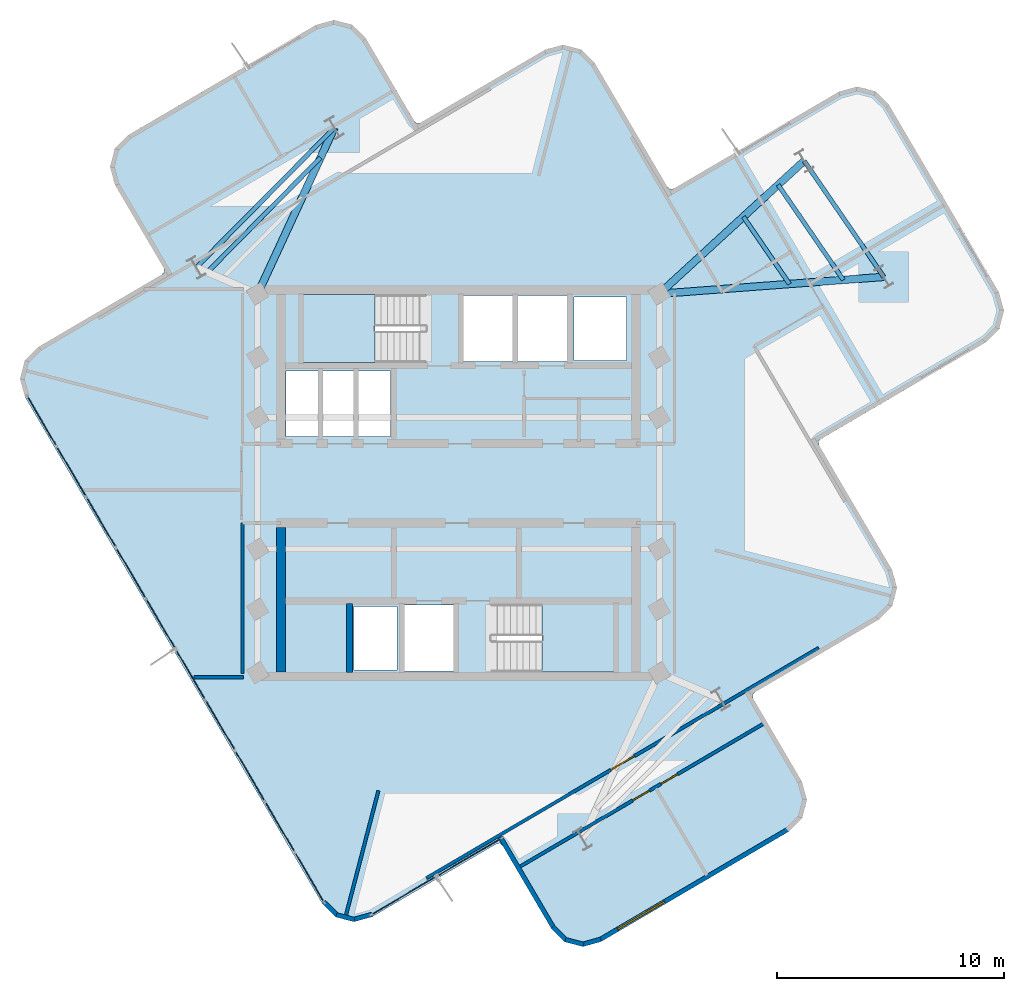
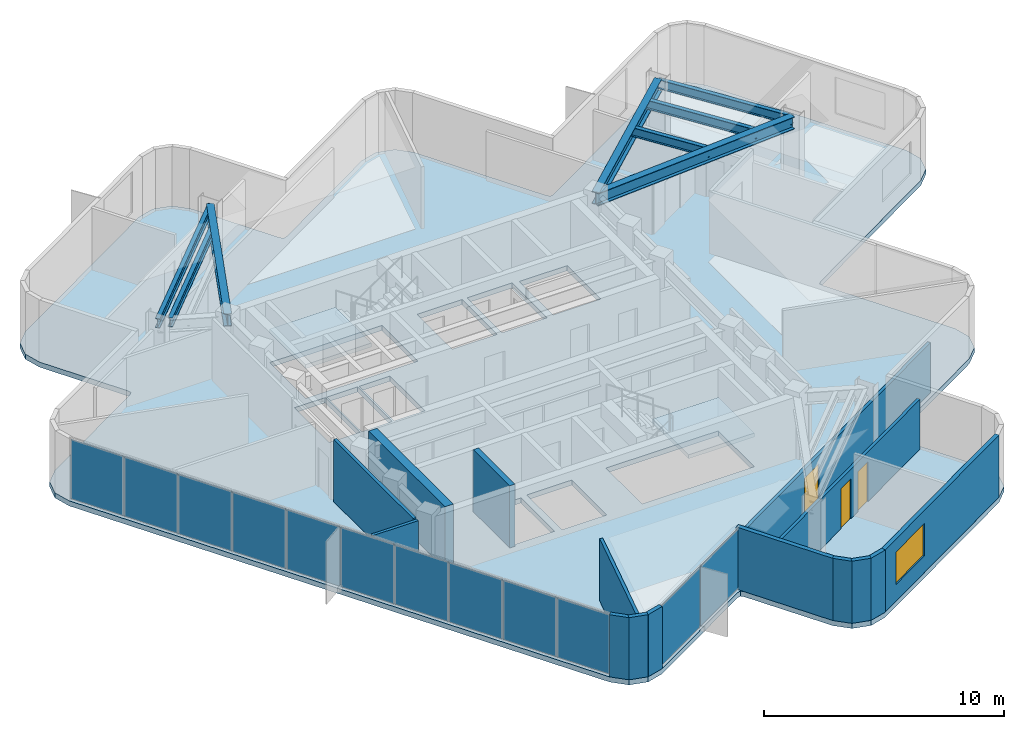
# One storey, part 4 of 9: 15 walls, 12 plates, 8 beams, 3 doors, 3 slabs, 1 window, 4 openings, 4 elements without a shape of their own.
"""IFC4 building model written with IfcOpenShell, lengths in metres."""

from ifc_helpers import new_model, si_unit, direction, frame, frame_2d, origin, origin_2d, place, context, subcontext, project, spatial, polyline, rectangle, i_section, outline, extrude, material, layer, layer_set, material_profile, profile_set, type_object, element, fill, aggregate, save


model = new_model("IFC4")

# Units and contexts
model_context = context("Model", 3, precision=1e-05, world=origin(), true_north=direction((0.0, 1.0)))
body_context = subcontext(model_context, "Body", "Model", "MODEL_VIEW")
ifc_project = project(units=[si_unit("LENGTHUNIT", "METRE"), si_unit("AREAUNIT", "SQUARE_METRE"), si_unit("VOLUMEUNIT", "CUBIC_METRE"), si_unit("PLANEANGLEUNIT", "RADIAN"), si_unit("MASSUNIT", "GRAM", prefix="KILO")], contexts=[model_context])

# Site, building, storey
site_placement = place(None, origin())
site = spatial("IfcSite", under=ifc_project, at=site_placement, CompositionType="ELEMENT")
building_placement = place(site_placement, origin())
building = spatial("IfcBuilding", under=site, at=building_placement, Name="Solmarez Civic Tower", CompositionType="ELEMENT")
storey_placement = place(building_placement, frame((0.0, 0.0, 208.6201171875)))
storey = spatial("IfcBuildingStorey", under=building, at=storey_placement, Name="L55", CompositionType="ELEMENT", Elevation=208.6201171875)

# Beams
ifc_material_1 = material(Name="Steel S355", Category="steel")
ifc_material_profile_1 = material_profile(ifc_material_1, i_section(OverallWidth=0.19189453125, OverallDepth=0.462890625, WebThickness=0.010498046875, FlangeThickness=0.017578125, at=origin_2d()), Name="W18X60")
ifc_profile_set_1 = profile_set([ifc_material_profile_1], Name="Steel S355")
beam_type_1 = type_object("IfcBeamType", Name="BM-JS-W18X60", PredefinedType="JOIST", material=ifc_profile_set_1)
beam_1_placement = place(storey_placement, frame((18.740966796875, 9.096923828125, 2.927978515625), z_axis=(-0.565711253315, 0.824603406416, 0.0), x_axis=(-0.824603406416, -0.565711253315, 0.0)))
element("IfcBeam", 1, at=beam_1_placement, inside=storey, type_object=beam_type_1, Name="L55 Secondary Floor Joist BM-L55-EA-T1", PredefinedType="JOIST", context=body_context, shape_type="SweptSolid", body=[
    extrude(i_section(OverallWidth=0.19189453125, OverallDepth=0.462890625, WebThickness=0.010498046875, FlangeThickness=0.017578125, at=origin_2d()), origin(), (0.0, 0.0, 1.0), 6.199462890625),
])
beam_2_placement = place(storey_placement, frame((14.5869140625, 8.782958984375, 2.927978515625), z_axis=(-0.565666897805, 0.824633834334, 0.0), x_axis=(-0.824633834334, -0.565666897805, 0.0)))
element("IfcBeam", 2, at=beam_2_placement, inside=storey, type_object=beam_type_1, Name="L55 Secondary Floor Joist JS-L55-EA-M11", PredefinedType="JOIST", context=body_context, shape_type="SweptSolid", body=[
    extrude(i_section(OverallWidth=0.19189453125, OverallDepth=0.462890625, WebThickness=0.010498046875, FlangeThickness=0.017578125, at=origin_2d()), origin(), (0.0, 0.0, 1.0), 3.595703125),
])
beam_3_placement = place(storey_placement, frame((16.9609375, 8.962890625, 2.927978515625), z_axis=(-0.565800880521, 0.824541911367, 0.0), x_axis=(-0.824541911367, -0.565800880521, 0.0)))
element("IfcBeam", 3, at=beam_3_placement, inside=storey, type_object=beam_type_1, Name="L55 Secondary Floor Joist JS-L55-EA-M12", PredefinedType="JOIST", context=body_context, shape_type="SweptSolid", body=[
    extrude(i_section(OverallWidth=0.19189453125, OverallDepth=0.462890625, WebThickness=0.010498046875, FlangeThickness=0.017578125, at=origin_2d()), origin(), (0.0, 0.0, 1.0), 5.0830078125),
])
beam_4_placement = place(storey_placement, frame((-5.468017578125, 15.6708984375, 2.927978515625), z_axis=(-0.702766092364, -0.711420986072, 0.0), x_axis=(0.711420986072, -0.702766092364, 0.0)))
element("IfcBeam", 4, at=beam_4_placement, inside=storey, type_object=beam_type_1, Name="L55 Secondary Floor Joist BM-L55-NA-T1", PredefinedType="JOIST", context=body_context, shape_type="SweptSolid", body=[
    extrude(i_section(OverallWidth=0.19189453125, OverallDepth=0.462890625, WebThickness=0.010498046875, FlangeThickness=0.017578125, at=origin_2d()), origin(), (0.0, 0.0, 1.0), 8.659912109375),
])
beam_5_placement = place(storey_placement, frame((-6.076904296875, 14.35302734375, 2.927978515625), z_axis=(-0.702726827997, -0.711459770622, 0.0), x_axis=(0.711459770622, -0.702726827997, 0.0)))
element("IfcBeam", 5, at=beam_5_placement, inside=storey, type_object=beam_type_1, Name="L55 Secondary Floor Joist JS-L55-NA-M12", PredefinedType="JOIST", context=body_context, shape_type="SweptSolid", body=[
    extrude(i_section(OverallWidth=0.19189453125, OverallDepth=0.462890625, WebThickness=0.010498046875, FlangeThickness=0.017578125, at=origin_2d()), origin(), (0.0, 0.0, 1.0), 7.100830078125),
])
ifc_material_profile_2 = material_profile(ifc_material_1, i_section(OverallWidth=0.327880859375, OverallDepth=0.6220703125, WebThickness=0.015380859375, FlangeThickness=0.0244140625, at=origin_2d()), Name="W24X131")
ifc_profile_set_2 = profile_set([ifc_material_profile_2], Name="Steel S355")
beam_type_2 = type_object("IfcBeamType", Name="BM-PR-W24X131", PredefinedType="BEAM", material=ifc_profile_set_2)
beam_6_placement = place(storey_placement, frame((8.85009765625, 8.35009765625, 2.848876953125), z_axis=(0.997161506076, 0.075292302399, 0.0), x_axis=(-0.075292302399, 0.997161506076, 0.0)))
element("IfcBeam", 6, at=beam_6_placement, inside=storey, type_object=beam_type_2, Name="L55 Primary Floor Beam BM-L55-EA-R1A", PredefinedType="BEAM", context=body_context, shape_type="SweptSolid", body=[
    extrude(i_section(OverallWidth=0.327880859375, OverallDepth=0.6220703125, WebThickness=0.015380859375, FlangeThickness=0.0244140625, at=origin_2d()), origin(), (0.0, 0.0, 1.0), 9.9189453125),
])
beam_7_placement = place(storey_placement, frame((8.85009765625, 8.35009765625, 2.848876953125), z_axis=(0.736746995662, 0.676168517741, 0.0), x_axis=(-0.676168517741, 0.736746995662, 0.0)))
element("IfcBeam", 7, at=beam_7_placement, inside=storey, type_object=beam_type_2, Name="L55 Primary Floor Beam BM-L55-EA-R1B", PredefinedType="BEAM", context=body_context, shape_type="SweptSolid", body=[
    extrude(i_section(OverallWidth=0.327880859375, OverallDepth=0.6220703125, WebThickness=0.015380859375, FlangeThickness=0.0244140625, at=origin_2d()), origin(), (0.0, 0.0, 1.0), 8.664794921875),
])
beam_8_placement = place(storey_placement, frame((-8.85009765625, 8.35009765625, 2.848876953125), z_axis=(0.419390280967, 0.907806032273, 0.0), x_axis=(-0.907806032273, 0.419390280967, 0.0)))
element("IfcBeam", 8, at=beam_8_placement, inside=storey, type_object=beam_type_2, Name="L55 Primary Floor Beam BM-L55-NA-R1A", PredefinedType="BEAM", context=body_context, shape_type="SweptSolid", body=[
    extrude(i_section(OverallWidth=0.327880859375, OverallDepth=0.6220703125, WebThickness=0.015380859375, FlangeThickness=0.0244140625, at=origin_2d()), origin(), (0.0, 0.0, 1.0), 8.064208984375),
])

# Curtain wall, plates
ifc_material_2 = material(Name="Bronze Anodised Aluminium EN AW-6063 T6", Category="aluminium")
ifc_layer_1 = layer(ifc_material_2, 0.1650390625)
ifc_layer_set_1 = layer_set([ifc_layer_1], Name="Bronze Anodised Aluminium EN AW-6063 T6")
curtain_wall_type = type_object("IfcCurtainWallType", Name="CW-SYS-4", PredefinedType="NOTDEFINED", material=ifc_layer_set_1)
curtain_wall_1_placement = place(storey_placement, origin())
curtain_wall_1 = element("IfcCurtainWall", 9, at=curtain_wall_1_placement, inside=storey, type_object=curtain_wall_type, Name="L55 Stick-Built Curtain Wall 1", PredefinedType="NOTDEFINED")
ifc_material_3 = material(Name="Solar Control Low-E Laminated Vision Glass", Category="glass")
ifc_layer_2 = layer(ifc_material_3, 0.0400390625)
ifc_layer_set_2 = layer_set([ifc_layer_2], Name="Solar Control Low-E Laminated Vision Glass")
plate_type = type_object("IfcPlateType", Name="CWP-GLAZ-40", PredefinedType="CURTAIN_PANEL", material=ifc_layer_set_2)
plate_1_placement = place(storey_placement, frame((0.48095703125, -16.472412109375, 0.06982421875), z_axis=(0.0, 0.0, 1.0), x_axis=(-0.862593081876, -0.505898384165, 0.0)))
plate_1 = element("IfcPlate", 10, at=plate_1_placement, type_object=plate_type, Name="CWS4 panel 1.1", PredefinedType="CURTAIN_PANEL", context=body_context, shape_type="SweptSolid", body=[
    extrude(rectangle(XDim=3.28125, YDim=0.0400390625, at=origin_2d()), origin(), (0.0, 0.0, 1.0), 3.02001953125),
])
plate_2_placement = place(storey_placement, frame((-2.401123046875, -18.16259765625, 0.06982421875), z_axis=(0.0, 0.0, 1.0), x_axis=(-0.862593081876, -0.505898384165, 0.0)))
plate_2 = element("IfcPlate", 11, at=plate_2_placement, type_object=plate_type, Name="CWS4 panel 2.1", PredefinedType="CURTAIN_PANEL", context=body_context, shape_type="SweptSolid", body=[
    extrude(rectangle(XDim=3.28125, YDim=0.0400390625, at=origin_2d()), origin(), (0.0, 0.0, 1.0), 3.02001953125),
])
aggregate(curtain_wall_1, [plate_1, plate_2])

curtain_wall_2_placement = place(storey_placement, origin())
curtain_wall_2 = element("IfcCurtainWall", 12, at=curtain_wall_2_placement, inside=storey, type_object=curtain_wall_type, Name="L55 Stick-Built Curtain Wall 2", PredefinedType="NOTDEFINED")
plate_3_placement = place(storey_placement, frame((-6.567626953125, -17.361083984375, 0.06982421875), z_axis=(0.0, 0.0, 1.0), x_axis=(-0.506047134067, 0.862505824967, 0.0)))
plate_3 = element("IfcPlate", 13, at=plate_3_placement, type_object=plate_type, Name="CWS4 panel 1.1", PredefinedType="CURTAIN_PANEL", context=body_context, shape_type="SweptSolid", body=[
    extrude(rectangle(XDim=2.50244140625, YDim=0.0400390625, at=origin_2d()), origin(), (0.0, 0.0, 1.0), 3.02001953125),
])
plate_4_placement = place(storey_placement, frame((-7.871826171875, -15.137939453125, 0.06982421875), z_axis=(0.0, 0.0, 1.0), x_axis=(-0.506047134067, 0.862505824967, 0.0)))
plate_4 = element("IfcPlate", 14, at=plate_4_placement, type_object=plate_type, Name="CWS4 panel 2.1", PredefinedType="CURTAIN_PANEL", context=body_context, shape_type="SweptSolid", body=[
    extrude(rectangle(XDim=2.532470703125, YDim=0.0400390625, at=origin_2d()), origin(), (0.0, 0.0, 1.0), 3.02001953125),
])
plate_5_placement = place(storey_placement, frame((-9.183837890625, -12.902099609375, 0.06982421875), z_axis=(0.0, 0.0, 1.0), x_axis=(-0.506047134067, 0.862505824967, 0.0)))
plate_5 = element("IfcPlate", 15, at=plate_5_placement, type_object=plate_type, Name="CWS4 panel 3.1", PredefinedType="CURTAIN_PANEL", context=body_context, shape_type="SweptSolid", body=[
    extrude(rectangle(XDim=2.532470703125, YDim=0.0400390625, at=origin_2d()), origin(), (0.0, 0.0, 1.0), 3.02001953125),
])
plate_6_placement = place(storey_placement, frame((-10.49560546875, -10.666015625, 0.06982421875), z_axis=(0.0, 0.0, 1.0), x_axis=(-0.506047134067, 0.862505824967, 0.0)))
plate_6 = element("IfcPlate", 16, at=plate_6_placement, type_object=plate_type, Name="CWS4 panel 4.1", PredefinedType="CURTAIN_PANEL", context=body_context, shape_type="SweptSolid", body=[
    extrude(rectangle(XDim=2.532470703125, YDim=0.0400390625, at=origin_2d()), origin(), (0.0, 0.0, 1.0), 3.02001953125),
])
plate_7_placement = place(storey_placement, frame((-11.8076171875, -8.429931640625, 0.06982421875), z_axis=(0.0, 0.0, 1.0), x_axis=(-0.506047134067, 0.862505824967, 0.0)))
plate_7 = element("IfcPlate", 17, at=plate_7_placement, type_object=plate_type, Name="CWS4 panel 5.1", PredefinedType="CURTAIN_PANEL", context=body_context, shape_type="SweptSolid", body=[
    extrude(rectangle(XDim=2.532470703125, YDim=0.0400390625, at=origin_2d()), origin(), (0.0, 0.0, 1.0), 3.02001953125),
])
plate_8_placement = place(storey_placement, frame((-13.119384765625, -6.194091796875, 0.06982421875), z_axis=(0.0, 0.0, 1.0), x_axis=(-0.506047134067, 0.862505824967, 0.0)))
plate_8 = element("IfcPlate", 18, at=plate_8_placement, type_object=plate_type, Name="CWS4 panel 6.1", PredefinedType="CURTAIN_PANEL", context=body_context, shape_type="SweptSolid", body=[
    extrude(rectangle(XDim=2.532470703125, YDim=0.0400390625, at=origin_2d()), origin(), (0.0, 0.0, 1.0), 3.02001953125),
])
plate_9_placement = place(storey_placement, frame((-14.431396484375, -3.9580078125, 0.06982421875), z_axis=(0.0, 0.0, 1.0), x_axis=(-0.506047134067, 0.862505824967, 0.0)))
plate_9 = element("IfcPlate", 19, at=plate_9_placement, type_object=plate_type, Name="CWS4 panel 7.1", PredefinedType="CURTAIN_PANEL", context=body_context, shape_type="SweptSolid", body=[
    extrude(rectangle(XDim=2.532470703125, YDim=0.0400390625, at=origin_2d()), origin(), (0.0, 0.0, 1.0), 3.02001953125),
])
plate_10_placement = place(storey_placement, frame((-15.7431640625, -1.721923828125, 0.06982421875), z_axis=(0.0, 0.0, 1.0), x_axis=(-0.506047134067, 0.862505824967, 0.0)))
plate_10 = element("IfcPlate", 20, at=plate_10_placement, type_object=plate_type, Name="CWS4 panel 8.1", PredefinedType="CURTAIN_PANEL", context=body_context, shape_type="SweptSolid", body=[
    extrude(rectangle(XDim=2.532470703125, YDim=0.0400390625, at=origin_2d()), origin(), (0.0, 0.0, 1.0), 3.02001953125),
])
plate_11_placement = place(storey_placement, frame((-17.05517578125, 0.513916015625, 0.06982421875), z_axis=(0.0, 0.0, 1.0), x_axis=(-0.506047134067, 0.862505824967, 0.0)))
plate_11 = element("IfcPlate", 21, at=plate_11_placement, type_object=plate_type, Name="CWS4 panel 9.1", PredefinedType="CURTAIN_PANEL", context=body_context, shape_type="SweptSolid", body=[
    extrude(rectangle(XDim=2.532470703125, YDim=0.0400390625, at=origin_2d()), origin(), (0.0, 0.0, 1.0), 3.02001953125),
])
plate_12_placement = place(storey_placement, frame((-18.359375, 2.737060546875, 0.06982421875), z_axis=(0.0, 0.0, 1.0), x_axis=(-0.506047134067, 0.862505824967, 0.0)))
plate_12 = element("IfcPlate", 22, at=plate_12_placement, type_object=plate_type, Name="CWS4 panel 10.1", PredefinedType="CURTAIN_PANEL", context=body_context, shape_type="SweptSolid", body=[
    extrude(rectangle(XDim=2.50244140625, YDim=0.0400390625, at=origin_2d()), origin(), (0.0, 0.0, 1.0), 3.02001953125),
])
aggregate(curtain_wall_2, [plate_3, plate_4, plate_5, plate_6, plate_7, plate_8, plate_9, plate_10, plate_11, plate_12])

# Stair, slab
ifc_material_4 = material(Name="Concrete C50/60", Category="concrete")
stair_type = type_object("IfcStairType", Name="STAIR-DOGLEG-140W-18R-1900", PredefinedType="HALF_TURN_STAIR", material=ifc_material_4)
stair_1_placement = place(storey_placement, origin())
stair_1 = element("IfcStair", 23, at=stair_1_placement, inside=storey, type_object=stair_type, Name="L55 North Core Protected Exit Stair ST-1", PredefinedType="HALF_TURN_STAIR")
ifc_layer_3 = layer(ifc_material_4, 0.199951171875)
ifc_layer_set_3 = layer_set([ifc_layer_3], Name="Concrete C50/60")
slab_type_1 = type_object("IfcSlabType", Name="SLAB-LANDING-200", PredefinedType="LANDING", material=ifc_layer_set_3)
slab_1_placement = place(storey_placement, frame((0.0, 0.0, 1.509765625)))
slab_1 = element("IfcSlab", 24, at=slab_1_placement, type_object=slab_type_1, Name="ST-1 landing 1", PredefinedType="LANDING", context=body_context, shape_type="SweptSolid", body=[
    extrude(outline(polyline([(-3.68994140625, 8.320068359375), (-6.85009765625, 8.320068359375), (-6.85009765625, 5.320068359375), (-3.68994140625, 5.320068359375), (-3.68994140625, 8.320068359375)])), origin(), (0.0, 0.0, 1.0), 0.2001953125),
])
aggregate(stair_1, [slab_1])

stair_2_placement = place(storey_placement, origin())
stair_2 = element("IfcStair", 25, at=stair_2_placement, inside=storey, type_object=stair_type, Name="L55 South Core Protected Exit Stair ST-2", PredefinedType="HALF_TURN_STAIR")
slab_2_placement = place(storey_placement, frame((0.0, 0.0, 1.509765625)))
slab_2 = element("IfcSlab", 26, at=slab_2_placement, type_object=slab_type_1, Name="ST-2 landing 1", PredefinedType="LANDING", context=body_context, shape_type="SweptSolid", body=[
    extrude(outline(polyline([(3.68994140625, -8.320068359375), (6.85009765625, -8.320068359375), (6.85009765625, -5.320068359375), (3.68994140625, -5.320068359375), (3.68994140625, -8.320068359375)])), origin(), (0.0, 0.0, 1.0), 0.2001953125),
])
aggregate(stair_2, [slab_2])

# Slab
ifc_layer_4 = layer(ifc_material_4, 0.260009765625)
ifc_layer_set_4 = layer_set([ifc_layer_4], Name="Concrete C50/60")
slab_type_2 = type_object("IfcSlabType", Name="SLAB-TOWER-260", PredefinedType="FLOOR", material=ifc_layer_set_4)
slab_3_placement = place(storey_placement, frame((0.0, 0.0, -0.260009765625)))
element("IfcSlab", 27, at=slab_3_placement, inside=storey, type_object=slab_type_2, Name="L55 Structural Slab", PredefinedType="FLOOR", context=body_context, shape_type="SweptSolid", body=[
    extrude(outline(polyline([(1.948974609375, -15.969970703125), (4.094970703125, -19.6259765625), (4.68408203125, -20.2080078125), (5.486083984375, -20.4169921875), (6.283935546875, -20.197021484375), (14.56396484375, -15.339111328125), (15.14599609375, -14.7490234375), (15.35498046875, -13.947998046875), (15.135009765625, -13.14892578125), (12.989013671875, -9.492919921875), (12.944091796875, -9.326904296875), (13.06494140625, -9.2041015625), (18.531982421875, -5.99609375), (19.114013671875, -5.406982421875), (19.322998046875, -4.60498046875), (19.10302734375, -3.806884765625), (15.89501953125, 1.660888671875), (15.84912109375, 1.826904296875), (15.969970703125, 1.948974609375), (23.2490234375, 6.219970703125), (23.830078125, 6.81005859375), (24.0390625, 7.611083984375), (23.819091796875, 8.409912109375), (18.9609375, 16.68994140625), (18.3720703125, 17.27099609375), (17.570068359375, 17.47998046875), (16.77197265625, 17.260009765625), (9.492919921875, 12.989013671875), (9.326904296875, 12.944091796875), (9.2041015625, 13.06494140625), (5.99609375, 18.531982421875), (5.406982421875, 19.114013671875), (4.60498046875, 19.322998046875), (3.806884765625, 19.10302734375), (-1.660888671875, 15.89501953125), (-1.826904296875, 15.84912109375), (-1.948974609375, 15.969970703125), (-4.094970703125, 19.6259765625), (-4.68408203125, 20.2080078125), (-5.486083984375, 20.4169921875), (-6.283935546875, 20.197021484375), (-14.56396484375, 15.339111328125), (-15.14599609375, 14.7490234375), (-15.35498046875, 13.947998046875), (-15.135009765625, 13.14892578125), (-12.989013671875, 9.492919921875), (-12.944091796875, 9.326904296875), (-13.06494140625, 9.2041015625), (-18.531982421875, 5.99609375), (-19.114013671875, 5.406982421875), (-19.322998046875, 4.60498046875), (-19.10302734375, 3.806884765625), (-5.99609375, -18.531982421875), (-5.406982421875, -19.114013671875), (-4.60498046875, -19.322998046875), (-3.806884765625, -19.10302734375), (1.660888671875, -15.89501953125), (1.826904296875, -15.84912109375), (1.948974609375, -15.969970703125)]), holes=[polyline([(-1.449951171875, 8.320068359375), (-6.85009765625, 8.320068359375), (-6.85009765625, 5.320068359375), (-1.449951171875, 5.320068359375), (-1.449951171875, 8.320068359375)]), polyline([(1.449951171875, -8.320068359375), (6.85009765625, -8.320068359375), (6.85009765625, -5.320068359375), (1.449951171875, -5.320068359375), (1.449951171875, -8.320068359375)]), polyline([(0.219970703125, 5.360107421875), (2.3798828125, 5.360107421875), (2.3798828125, 8.280029296875), (0.219970703125, 8.280029296875), (0.219970703125, 5.360107421875)]), polyline([(2.6201171875, 5.360107421875), (4.780029296875, 5.360107421875), (4.780029296875, 8.280029296875), (2.6201171875, 8.280029296875), (2.6201171875, 5.360107421875)]), polyline([(-2.3798828125, -8.280029296875), (-0.219970703125, -8.280029296875), (-0.219970703125, -5.360107421875), (-2.3798828125, -5.360107421875), (-2.3798828125, -8.280029296875)]), polyline([(-7.60009765625, 2.06005859375), (-6.1201171875, 2.06005859375), (-6.1201171875, 4.9599609375), (-7.60009765625, 4.9599609375), (-7.60009765625, 2.06005859375)]), polyline([(-6.0400390625, 2.06005859375), (-4.56005859375, 2.06005859375), (-4.56005859375, 4.9599609375), (-6.0400390625, 4.9599609375), (-6.0400390625, 2.06005859375)]), polyline([(-4.47998046875, 2.06005859375), (-3.0, 2.06005859375), (-3.0, 4.9599609375), (-4.47998046875, 4.9599609375), (-4.47998046875, 2.06005859375)]), polyline([(5.10009765625, 5.419921875), (7.39990234375, 5.419921875), (7.39990234375, 8.219970703125), (5.10009765625, 8.219970703125), (5.10009765625, 5.419921875)]), polyline([(-4.60009765625, -8.219970703125), (-2.699951171875, -8.219970703125), (-2.699951171875, -5.419921875), (-4.60009765625, -5.419921875), (-4.60009765625, -8.219970703125)])]), origin(), (0.0, 0.0, 1.0), 0.260009765625),
])

# Walls
ifc_layer_5 = layer(ifc_material_4, 0.39990234375)
ifc_layer_set_5 = layer_set([ifc_layer_5], Name="Concrete C50/60")
wall_type_1 = type_object("IfcWallType", Name="WALL-CORE-400", PredefinedType="SHEAR", material=ifc_layer_set_5)
wall_1_placement = place(storey_placement, frame((-7.820068359375, -8.31005859375, 0.0), z_axis=(0.0, 0.0, 1.0), x_axis=(0.0, 1.0, 0.0)))
element("IfcWall", 28, at=wall_1_placement, inside=storey, type_object=wall_type_1, Name="L55 Split-Core Structural Wall SCW-W-L55", PredefinedType="SHEAR", context=body_context, shape_type="SweptSolid", body=[
    extrude(rectangle(XDim=6.360107421875, YDim=0.39990234375, at=frame_2d((3.18017578125, 0.0))), origin(), (0.0, 0.0, 1.0), 3.159912109375),
])
ifc_material_5 = material(Name="Precast concrete C40/50", Category="concrete")
ifc_layer_6 = layer(ifc_material_5, 0.199951171875)
ifc_layer_set_6 = layer_set([ifc_layer_6], Name="Precast concrete C40/50")
wall_type_2 = type_object("IfcWallType", Name="WALL-EXT-200", PredefinedType="SOLIDWALL", material=ifc_layer_set_6)
wall_2_placement = place(storey_placement, frame((-3.822021484375, -19.0029296875, 0.0), z_axis=(0.0, 0.0, 1.0), x_axis=(-0.963905015631, -0.266246353668, 0.0)))
element("IfcWall", 29, at=wall_2_placement, inside=storey, type_object=wall_type_2, Name="L55 Exterior Precast Wall 3", PredefinedType="SOLIDWALL", context=body_context, shape_type="SweptSolid", body=[
    extrude(rectangle(XDim=0.838134765625, YDim=0.199951171875, at=frame_2d((0.4189453125, 0.0))), origin(), (0.0, 0.0, 1.0), 3.159912109375),
])
wall_3_placement = place(storey_placement, frame((-4.58203125, -19.22509765625, 0.0), z_axis=(0.0, 0.0, 1.0), x_axis=(-0.967943577658, 0.251167733737, 0.0)))
element("IfcWall", 30, at=wall_3_placement, inside=storey, type_object=wall_type_2, Name="L55 Exterior Precast Wall 4", PredefinedType="SOLIDWALL", context=body_context, shape_type="SweptSolid", body=[
    extrude(rectangle(XDim=0.82421875, YDim=0.199951171875, at=frame_2d((0.412109375, 0.0))), origin(), (0.0, 0.0, 1.0), 3.159912109375),
])
wall_4_placement = place(storey_placement, frame((-5.337890625, -19.0419921875, 0.0), z_axis=(0.0, 0.0, 1.0), x_axis=(-0.711310891957, 0.702877524881, 0.0)))
element("IfcWall", 31, at=wall_4_placement, inside=storey, type_object=wall_type_2, Name="L55 Exterior Precast Wall 5", PredefinedType="SOLIDWALL", context=body_context, shape_type="SweptSolid", body=[
    extrude(rectangle(XDim=0.839599609375, YDim=0.199951171875, at=frame_2d((0.419921875, 0.0))), origin(), (0.0, 0.0, 1.0), 3.159912109375),
])

# Wall, opening, window
wall_5_placement = place(storey_placement, frame((14.52392578125, -15.24609375, 0.0), z_axis=(0.0, 0.0, 1.0), x_axis=(-0.862483422861, -0.506085314241, 0.0)))
wall_5 = element("IfcWall", 32, at=wall_5_placement, inside=storey, type_object=wall_type_2, Name="L55 Exterior Precast Wall 53", PredefinedType="SOLIDWALL", context=body_context, shape_type="SweptSolid", body=[
    extrude(rectangle(XDim=9.62451171875, YDim=0.199951171875, at=frame_2d((4.812255859375, 0.0))), origin(), (0.0, 0.0, 1.0), 3.159912109375),
])
opening_1_placement = place(wall_5_placement, frame((6.306884765625, 0.0, 0.85009765625)))
opening_1 = element("IfcOpeningElement", 33, at=opening_1_placement, cuts=wall_5, Name="Opening W-10", PredefinedType="OPENING", context=body_context, shape_type="SweptSolid", body=[
    extrude(rectangle(XDim=2.39990234375, YDim=1.64990234375, at=frame_2d((1.199951171875, 0.824951171875))), frame((0.0, 0.10986328125, 0.0), z_axis=(0.0, -1.0, 0.0), x_axis=(1.0, 0.0, 0.0)), (0.0, 0.0, 1.0), 0.219970703125),
])
ifc_material_6 = material(Name="Solar Control Bronze-Tinted Insulating Glass", Category="glass")
window_type = type_object("IfcWindowType", Name="WIN-2400X1650", PartitioningType="SINGLE_PANEL", PredefinedType="WINDOW", material=ifc_material_6)
window_placement = place(opening_1_placement, origin())
window = element("IfcWindow", 34, at=window_placement, inside=storey, type_object=window_type, Name="L55 Exterior Facade Window 53", OverallHeight=1.64990234375, OverallWidth=2.39990234375, PartitioningType="SINGLE_PANEL", PredefinedType="WINDOW", context=body_context, shape_type="SweptSolid", body=[
    extrude(rectangle(XDim=2.39990234375, YDim=1.64990234375, at=frame_2d((1.199951171875, 0.824951171875))), frame((0.0, 0.030029296875, 0.0), z_axis=(0.0, -1.0, 0.0), x_axis=(1.0, 0.0, 0.0)), (0.0, 0.0, 1.0), 0.06005859375),
])
fill(opening_1, window)

# Walls
wall_6_placement = place(storey_placement, frame((6.26904296875, -20.096923828125, 0.0), z_axis=(0.0, 0.0, 1.0), x_axis=(-0.963925656212, -0.266171616247, 0.0)))
element("IfcWall", 35, at=wall_6_placement, inside=storey, type_object=wall_type_2, Name="L55 Exterior Precast Wall 54", PredefinedType="SOLIDWALL", context=body_context, shape_type="SweptSolid", body=[
    extrude(rectangle(XDim=0.83837890625, YDim=0.199951171875, at=frame_2d((0.419189453125, 0.0))), origin(), (0.0, 0.0, 1.0), 3.159912109375),
])
wall_7_placement = place(storey_placement, frame((5.509033203125, -20.319091796875, 0.0), z_axis=(0.0, 0.0, 1.0), x_axis=(-0.967962254737, 0.251095745493, 0.0)))
element("IfcWall", 36, at=wall_7_placement, inside=storey, type_object=wall_type_2, Name="L55 Exterior Precast Wall 55", PredefinedType="SOLIDWALL", context=body_context, shape_type="SweptSolid", body=[
    extrude(rectangle(XDim=0.824462890625, YDim=0.199951171875, at=frame_2d((0.412109375, 0.0))), origin(), (0.0, 0.0, 1.0), 3.159912109375),
])
wall_8_placement = place(storey_placement, frame((4.7529296875, -20.135986328125, 0.0), z_axis=(0.0, 0.0, 1.0), x_axis=(-0.711167178618, 0.70302293281, 0.0)))
element("IfcWall", 37, at=wall_8_placement, inside=storey, type_object=wall_type_2, Name="L55 Exterior Precast Wall 56", PredefinedType="SOLIDWALL", context=body_context, shape_type="SweptSolid", body=[
    extrude(rectangle(XDim=0.83935546875, YDim=0.199951171875, at=frame_2d((0.419677734375, 0.0))), origin(), (0.0, 0.0, 1.0), 3.159912109375),
])
wall_9_placement = place(storey_placement, frame((4.18701171875, -19.5859375, 0.0), z_axis=(0.0, 0.0, 1.0), x_axis=(-0.505936854923, 0.862570518178, 0.0)))
element("IfcWall", 38, at=wall_9_placement, inside=storey, type_object=wall_type_2, Name="L55 Exterior Precast Wall 57", PredefinedType="SOLIDWALL", context=body_context, shape_type="SweptSolid", body=[
    extrude(rectangle(XDim=4.640625, YDim=0.199951171875, at=frame_2d((2.3203125, 0.0))), origin(), (0.0, 0.0, 1.0), 3.159912109375),
])
ifc_material_7 = material(Name="Gypsum Board Acoustic Steel-Stud Partition", Category="steel")
ifc_layer_7 = layer(ifc_material_7, 0.14990234375)
ifc_layer_set_7 = layer_set([ifc_layer_7], Name="Gypsum Board Acoustic Steel-Stud Partition")
wall_type_3 = type_object("IfcWallType", Name="WALL-INT-FIRE-150", PredefinedType="PARTITIONING", material=ifc_layer_set_7)
wall_10_placement = place(storey_placement, frame((-9.52001953125, -8.3798828125, 0.0), z_axis=(0.0, 0.0, 1.0), x_axis=(0.0, 1.0, 0.0)))
element("IfcWall", 39, at=wall_10_placement, inside=storey, type_object=wall_type_3, Name="L55 Interior Partition CHW-L55-WS1", PredefinedType="PARTITIONING", context=body_context, shape_type="SweptSolid", body=[
    extrude(rectangle(XDim=6.6298828125, YDim=0.14990234375, at=frame_2d((3.31494140625, 0.0))), origin(), (0.0, 0.0, 1.0), 3.159912109375),
])
ifc_layer_8 = layer(ifc_material_7, 0.14501953125)
ifc_layer_set_8 = layer_set([ifc_layer_8], Name="Gypsum Board Acoustic Steel-Stud Partition")
wall_type_4 = type_object("IfcWallType", Name="WALL-INT-PART-150", PredefinedType="PARTITIONING", material=ifc_layer_set_8)
wall_11_placement = place(storey_placement, frame((-11.662109375, -8.550048828125, 0.0), z_axis=(0.0, 0.0, 1.0), x_axis=(1.0, 0.0, 0.0)))
element("IfcWall", 40, at=wall_11_placement, inside=storey, type_object=wall_type_4, Name="L55 Interior Partition PT-L55-WH-BS", PredefinedType="PARTITIONING", context=body_context, shape_type="SweptSolid", body=[
    extrude(rectangle(XDim=2.18212890625, YDim=0.14501953125, at=frame_2d((1.091064453125, 0.0))), origin(), (0.0, 0.0, 1.0), 3.159912109375),
])
wall_12_placement = place(storey_placement, frame((-3.527099609375, -13.5400390625, 0.0), z_axis=(0.0, 0.0, 1.0), x_axis=(-0.252132617321, -0.967692690519, 0.0)))
element("IfcWall", 41, at=wall_12_placement, inside=storey, type_object=wall_type_4, Name="L55 Interior Partition PT-L55-QDIV-3", PredefinedType="PARTITIONING", context=body_context, shape_type="SweptSolid", body=[
    extrude(rectangle(XDim=5.703369140625, YDim=0.14501953125, at=frame_2d((2.8515625, 0.0))), origin(), (0.0, 0.0, 1.0), 3.159912109375),
])

# Wall, opening, door
wall_13_placement = place(storey_placement, frame((15.873046875, -7.2548828125, 0.0), z_axis=(0.0, 0.0, 1.0), x_axis=(-0.862498672631, -0.506059324299, 0.0)))
wall_13 = element("IfcWall", 42, at=wall_13_placement, inside=storey, type_object=wall_type_4, Name="L55 Interior Partition PT-L55-S-ENT", PredefinedType="PARTITIONING", context=body_context, shape_type="SweptSolid", body=[
    extrude(rectangle(XDim=20.039306640625, YDim=0.14501953125, at=frame_2d((10.01953125, 0.0))), origin(), (0.0, 0.0, 1.0), 2.52978515625),
])
opening_2_placement = place(wall_13_placement, frame((9.419921875, 0.0, 0.0)))
opening_2 = element("IfcOpeningElement", 43, at=opening_2_placement, cuts=wall_13, Name="Opening D-11", PredefinedType="OPENING", context=body_context, shape_type="SweptSolid", body=[
    extrude(rectangle(XDim=1.199951171875, YDim=2.10009765625, at=frame_2d((0.60009765625, 1.050048828125))), frame((0.0, 0.08251953125, 0.0), z_axis=(0.0, -1.0, 0.0), x_axis=(1.0, 0.0, 0.0)), (0.0, 0.0, 1.0), 0.1650390625),
])
ifc_material_8 = material(Name="Glazed-Vision Acoustic Chamber Door", Category="wood")
door_type_1 = type_object("IfcDoorType", Name="DOOR-INT-1200", OperationType="NOTDEFINED", PredefinedType="DOOR", material=ifc_material_8)
door_1_placement = place(opening_2_placement, origin())
door_1 = element("IfcDoor", 44, at=door_1_placement, inside=storey, type_object=door_type_1, Name="L55 Staff Pantry First South Door", OperationType="SINGLE_SWING_LEFT", OverallHeight=2.10009765625, OverallWidth=1.199951171875, PredefinedType="DOOR", context=body_context, shape_type="SweptSolid", body=[
    extrude(rectangle(XDim=1.199951171875, YDim=2.10009765625, at=frame_2d((0.60009765625, 1.050048828125))), frame((0.0, 0.02490234375, 0.0), z_axis=(0.0, -1.0, 0.0), x_axis=(1.0, 0.0, 0.0)), (0.0, 0.0, 1.0), 0.050048828125),
])
fill(opening_2, door_1)

# Wall, openings, doors
wall_14_placement = place(storey_placement, frame((2.68798828125, -16.904052734375, 0.0), z_axis=(0.0, 0.0, 1.0), x_axis=(0.862497334811, 0.506061604396, 0.0)))
wall_14 = element("IfcWall", 45, at=wall_14_placement, inside=storey, type_object=wall_type_4, Name="L55 Interior Partition PT-L55-S-SCUT", PredefinedType="PARTITIONING", context=body_context, shape_type="SweptSolid", body=[
    extrude(rectangle(XDim=12.470947265625, YDim=0.14501953125, at=frame_2d((6.2353515625, 0.0))), origin(), (0.0, 0.0, 1.0), 2.52978515625),
])
opening_3_placement = place(wall_14_placement, frame((5.784912109375, 0.0, 0.0)))
opening_3 = element("IfcOpeningElement", 46, at=opening_3_placement, cuts=wall_14, Name="Opening D-14", PredefinedType="OPENING", context=body_context, shape_type="SweptSolid", body=[
    extrude(rectangle(XDim=0.860107421875, YDim=2.0400390625, at=frame_2d((0.43017578125, 1.02001953125))), frame((0.0, 0.08251953125, 0.0), z_axis=(0.0, -1.0, 0.0), x_axis=(1.0, 0.0, 0.0)), (0.0, 0.0, 1.0), 0.1650390625),
])
opening_4_placement = place(wall_14_placement, frame((7.22509765625, 0.0, 0.0)))
opening_4 = element("IfcOpeningElement", 47, at=opening_4_placement, cuts=wall_14, Name="Opening D-14", PredefinedType="OPENING", context=body_context, shape_type="SweptSolid", body=[
    extrude(rectangle(XDim=0.860107421875, YDim=2.0400390625, at=frame_2d((0.43017578125, 1.02001953125))), frame((0.0, 0.08251953125, 0.0), z_axis=(0.0, -1.0, 0.0), x_axis=(1.0, 0.0, 0.0)), (0.0, 0.0, 1.0), 0.1650390625),
])
ifc_material_9 = material(Name="Timber Storage and Pantry Door", Category="wood")
door_type_2 = type_object("IfcDoorType", Name="DOOR-INT-850", OperationType="NOTDEFINED", PredefinedType="DOOR", material=ifc_material_9)
door_2_placement = place(opening_3_placement, origin())
door_2 = element("IfcDoor", 48, at=door_2_placement, inside=storey, type_object=door_type_2, Name="L55 Policy Boardroom Third South Door", OperationType="SINGLE_SWING_RIGHT", OverallHeight=2.0400390625, OverallWidth=0.860107421875, PredefinedType="DOOR", context=body_context, shape_type="SweptSolid", body=[
    extrude(rectangle(XDim=0.860107421875, YDim=2.0400390625, at=frame_2d((0.43017578125, 1.02001953125))), frame((0.0, 0.02490234375, 0.0), z_axis=(0.0, -1.0, 0.0), x_axis=(1.0, 0.0, 0.0)), (0.0, 0.0, 1.0), 0.050048828125),
])
fill(opening_3, door_2)
door_3_placement = place(opening_4_placement, origin())
door_3 = element("IfcDoor", 49, at=door_3_placement, inside=storey, type_object=door_type_2, Name="L55 Directorate Office Second South Door", OperationType="SINGLE_SWING_LEFT", OverallHeight=2.0400390625, OverallWidth=0.860107421875, PredefinedType="DOOR", context=body_context, shape_type="SweptSolid", body=[
    extrude(rectangle(XDim=0.860107421875, YDim=2.0400390625, at=frame_2d((0.43017578125, 1.02001953125))), frame((0.0, 0.02490234375, 0.0), z_axis=(0.0, -1.0, 0.0), x_axis=(1.0, 0.0, 0.0)), (0.0, 0.0, 1.0), 0.050048828125),
])
fill(opening_4, door_3)

# Wall
ifc_layer_9 = layer(ifc_material_4, 0.300048828125)
ifc_layer_set_9 = layer_set([ifc_layer_9], Name="Concrete C50/60")
wall_type_5 = type_object("IfcWallType", Name="WALL-STR-300", PredefinedType="SOLIDWALL", material=ifc_layer_set_9)
wall_15_placement = place(storey_placement, frame((-4.800048828125, -8.340087890625, 0.0), z_axis=(0.0, 0.0, 1.0), x_axis=(0.0, 1.0, 0.0)))
element("IfcWall", 50, at=wall_15_placement, inside=storey, type_object=wall_type_5, Name="L55 Split-Core Structural Wall SHW-S3-L55", PredefinedType="SOLIDWALL", context=body_context, shape_type="SweptSolid", body=[
    extrude(rectangle(XDim=3.0400390625, YDim=0.25, at=frame_2d((1.52001953125, 0.0))), origin(), (0.0, 0.0, 1.0), 3.159912109375),
])

save(model, "model.ifc")
